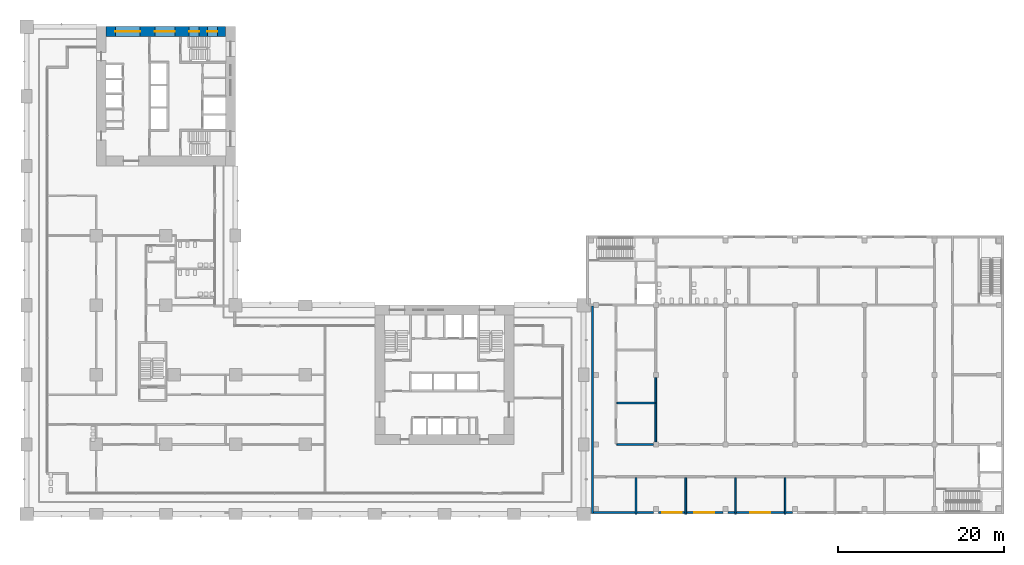
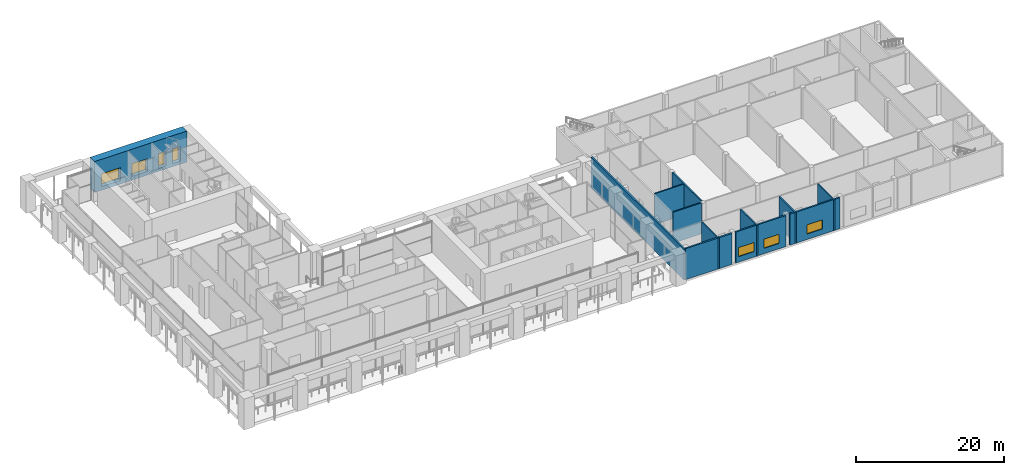
# One storey, part 19 of 33: 12 walls, 7 windows, 7 openings.
"""IFC4 building model written with IfcOpenShell, lengths in metres."""

from ifc_helpers import new_model, si_unit, direction, frame, frame_2d, origin, place, context, subcontext, project, spatial, rectangle, extrude, material, layer, layer_set, type_object, element, fill, save


model = new_model("IFC4")

# Units and contexts
model_context = context("Model", 3, precision=1e-05, world=origin(), true_north=direction((0.0, 1.0)))
body_context = subcontext(model_context, "Body", "Model", "MODEL_VIEW")
ifc_project = project(units=[si_unit("LENGTHUNIT", "METRE"), si_unit("AREAUNIT", "SQUARE_METRE"), si_unit("VOLUMEUNIT", "CUBIC_METRE"), si_unit("PLANEANGLEUNIT", "RADIAN"), si_unit("MASSUNIT", "GRAM", prefix="KILO")], contexts=[model_context])

# Site, building, storey
site_placement = place(None, origin())
site = spatial("IfcSite", under=ifc_project, at=site_placement, CompositionType="ELEMENT")
building_placement = place(site_placement, origin())
building = spatial("IfcBuilding", under=site, at=building_placement, Name="Vermilion Gate Residences", CompositionType="ELEMENT")
storey_placement = place(building_placement, frame((0.0, 0.0, 14.39990234375)))
storey = spatial("IfcBuildingStorey", under=building, at=storey_placement, Name="L02", CompositionType="ELEMENT", Elevation=14.39990234375)

# Wall
ifc_material_1 = material(Name="Insulated masonry", Category="masonry")
ifc_layer_1 = layer(ifc_material_1, 0.25)
ifc_layer_set_1 = layer_set([ifc_layer_1], Name="EXTERNAL WALL 250 MASONRY (MARKET HALL)")
wall_type_1 = type_object("IfcWallType", Name="EXTERNAL WALL 250 MASONRY (MARKET HALL)", PredefinedType="SOLIDWALL", material=ifc_layer_set_1)
wall_1_placement = place(storey_placement, frame((68.39990234375, 0.175048828125, 0.0), z_axis=(0.0, 0.0, 1.0), x_axis=(1.0, 0.0, 0.0)))
element("IfcWall", 1, at=wall_1_placement, inside=storey, type_object=wall_type_1, Name="External wall L02-1", PredefinedType="SOLIDWALL", context=body_context, shape_type="SweptSolid", body=[
    extrude(rectangle(XDim=7.2001953125, YDim=0.25, at=frame_2d((3.60009765625, 0.0))), origin(), (0.0, 0.0, 1.0), 5.10009765625),
])

# Wall, openings, windows
wall_2_placement = place(storey_placement, frame((76.199951171875, 0.175048828125, 0.0), z_axis=(0.0, 0.0, 1.0), x_axis=(1.0, 0.0, 0.0)))
wall_2 = element("IfcWall", 2, at=wall_2_placement, inside=storey, type_object=wall_type_1, Name="External wall L02-2", PredefinedType="SOLIDWALL", context=body_context, shape_type="SweptSolid", body=[
    extrude(rectangle(XDim=7.800048828125, YDim=0.25, at=frame_2d((3.89990234375, 0.0))), origin(), (0.0, 0.0, 1.0), 5.10009765625),
])
opening_1_placement = place(wall_2_placement, frame((0.449951171875, 0.0, 0.89990234375)))
opening_1 = element("IfcOpeningElement", 3, at=opening_1_placement, cuts=wall_2, Name="Opening WH02001", PredefinedType="OPENING", context=body_context, shape_type="SweptSolid", body=[
    extrude(rectangle(XDim=2.39990234375, YDim=1.5, at=frame_2d((1.199951171875, 0.75))), frame((0.0, 0.135009765625, 0.0), z_axis=(0.0, -1.0, 0.0), x_axis=(1.0, 0.0, 0.0)), (0.0, 0.0, 1.0), 0.27001953125),
])
opening_2_placement = place(wall_2_placement, frame((4.35009765625, 0.0, 0.89990234375)))
opening_2 = element("IfcOpeningElement", 4, at=opening_2_placement, cuts=wall_2, Name="Opening WH02002", PredefinedType="OPENING", context=body_context, shape_type="SweptSolid", body=[
    extrude(rectangle(XDim=2.39990234375, YDim=1.5, at=frame_2d((1.199951171875, 0.75))), frame((0.0, 0.135009765625, 0.0), z_axis=(0.0, -1.0, 0.0), x_axis=(1.0, 0.0, 0.0)), (0.0, 0.0, 1.0), 0.27001953125),
])
ifc_material_2 = material(Name="Aluminium and glass", Category="aluminium")
window_type_1 = type_object("IfcWindowType", Name="WINDOW 2400 X 1500 (MARKET HALL)", PartitioningType="DOUBLE_PANEL_VERTICAL", PredefinedType="WINDOW", material=ifc_material_2)
window_1_placement = place(opening_1_placement, origin())
window_1 = element("IfcWindow", 5, at=window_1_placement, inside=storey, type_object=window_type_1, Name="Window WH02001", OverallHeight=1.5, OverallWidth=2.39990234375, PartitioningType="DOUBLE_PANEL_VERTICAL", PredefinedType="WINDOW", context=body_context, shape_type="SweptSolid", body=[
    extrude(rectangle(XDim=2.39990234375, YDim=1.5, at=frame_2d((1.199951171875, 0.75))), frame((0.0, 0.030029296875, 0.0), z_axis=(0.0, -1.0, 0.0), x_axis=(1.0, 0.0, 0.0)), (0.0, 0.0, 1.0), 0.06005859375),
])
fill(opening_1, window_1)
window_2_placement = place(opening_2_placement, origin())
window_2 = element("IfcWindow", 6, at=window_2_placement, inside=storey, type_object=window_type_1, Name="Window WH02002", OverallHeight=1.5, OverallWidth=2.39990234375, PartitioningType="DOUBLE_PANEL_VERTICAL", PredefinedType="WINDOW", context=body_context, shape_type="SweptSolid", body=[
    extrude(rectangle(XDim=2.39990234375, YDim=1.5, at=frame_2d((1.199951171875, 0.75))), frame((0.0, 0.030029296875, 0.0), z_axis=(0.0, -1.0, 0.0), x_axis=(1.0, 0.0, 0.0)), (0.0, 0.0, 1.0), 0.06005859375),
])
fill(opening_2, window_2)

# Wall, opening, window
wall_3_placement = place(storey_placement, frame((84.60009765625, 0.175048828125, 0.0), z_axis=(0.0, 0.0, 1.0), x_axis=(1.0, 0.0, 0.0)))
wall_3 = element("IfcWall", 7, at=wall_3_placement, inside=storey, type_object=wall_type_1, Name="External wall L02-3", PredefinedType="SOLIDWALL", context=body_context, shape_type="SweptSolid", body=[
    extrude(rectangle(XDim=7.7998046875, YDim=0.25, at=frame_2d((3.89990234375, 0.0))), origin(), (0.0, 0.0, 1.0), 5.10009765625),
])
opening_3_placement = place(wall_3_placement, frame((2.699951171875, 0.0, 0.89990234375)))
opening_3 = element("IfcOpeningElement", 8, at=opening_3_placement, cuts=wall_3, Name="Opening WH02003", PredefinedType="OPENING", context=body_context, shape_type="SweptSolid", body=[
    extrude(rectangle(XDim=2.39990234375, YDim=1.5, at=frame_2d((1.199951171875, 0.75))), frame((0.0, 0.135009765625, 0.0), z_axis=(0.0, -1.0, 0.0), x_axis=(1.0, 0.0, 0.0)), (0.0, 0.0, 1.0), 0.27001953125),
])
window_3_placement = place(opening_3_placement, origin())
window_3 = element("IfcWindow", 9, at=window_3_placement, inside=storey, type_object=window_type_1, Name="Window WH02003", OverallHeight=1.5, OverallWidth=2.39990234375, PartitioningType="DOUBLE_PANEL_VERTICAL", PredefinedType="WINDOW", context=body_context, shape_type="SweptSolid", body=[
    extrude(rectangle(XDim=2.39990234375, YDim=1.5, at=frame_2d((1.199951171875, 0.75))), frame((0.0, 0.030029296875, 0.0), z_axis=(0.0, -1.0, 0.0), x_axis=(1.0, 0.0, 0.0)), (0.0, 0.0, 1.0), 0.06005859375),
])
fill(opening_3, window_3)

# Walls
wall_4_placement = place(storey_placement, frame((68.27490234375, 0.050048828125, 0.0), z_axis=(0.0, 0.0, 1.0), x_axis=(0.0, 1.0, 0.0)))
element("IfcWall", 10, at=wall_4_placement, inside=storey, type_object=wall_type_1, Name="External wall L02-37", PredefinedType="SOLIDWALL", context=body_context, shape_type="SweptSolid", body=[
    extrude(rectangle(XDim=25.02490234375, YDim=0.25, at=frame_2d((12.512451171875, 0.0))), origin(), (0.0, 0.0, 1.0), 5.10009765625),
])
ifc_material_3 = material(Name="Masonry", Category="masonry")
ifc_layer_2 = layer(ifc_material_3, 0.199951171875)
ifc_layer_set_2 = layer_set([ifc_layer_2], Name="PARTITION 200 MASONRY EI 60 (MARKET HALL)")
wall_type_2 = type_object("IfcWallType", Name="PARTITION 200 MASONRY EI 60 (MARKET HALL)", PredefinedType="PARTITIONING", material=ifc_layer_set_2)
wall_5_placement = place(storey_placement, frame((71.199951171875, 8.39990234375, 0.0), z_axis=(0.0, 0.0, 1.0), x_axis=(1.0, 0.0, 0.0)))
element("IfcWall", 11, at=wall_5_placement, inside=storey, type_object=wall_type_2, Name="Partition wall L02-10", PredefinedType="PARTITIONING", context=body_context, shape_type="SweptSolid", body=[
    extrude(rectangle(XDim=4.400146484375, YDim=0.199951171875, at=frame_2d((2.2001953125, 0.0))), origin(), (0.0, 0.0, 1.0), 5.10009765625),
])
wall_6_placement = place(storey_placement, frame((71.199951171875, 13.39990234375, 0.0), z_axis=(0.0, 0.0, 1.0), x_axis=(1.0, 0.0, 0.0)))
element("IfcWall", 12, at=wall_6_placement, inside=storey, type_object=wall_type_2, Name="Partition wall L02-16", PredefinedType="PARTITIONING", context=body_context, shape_type="SweptSolid", body=[
    extrude(rectangle(XDim=4.60009765625, YDim=0.199951171875, at=frame_2d((2.300048828125, 0.0))), origin(), (0.0, 0.0, 1.0), 5.10009765625),
])
wall_7_placement = place(storey_placement, frame((73.5, 0.0, 0.0), z_axis=(0.0, 0.0, 1.0), x_axis=(0.0, 1.0, 0.0)))
element("IfcWall", 13, at=wall_7_placement, inside=storey, type_object=wall_type_2, Name="Partition wall L02-39", PredefinedType="PARTITIONING", context=body_context, shape_type="SweptSolid", body=[
    extrude(rectangle(XDim=4.39990234375, YDim=0.199951171875, at=frame_2d((2.199951171875, 0.0))), origin(), (0.0, 0.0, 1.0), 5.10009765625),
])
wall_8_placement = place(storey_placement, frame((75.89990234375, 8.699951171875, 0.0), z_axis=(0.0, 0.0, 1.0), x_axis=(0.0, 1.0, 0.0)))
element("IfcWall", 14, at=wall_8_placement, inside=storey, type_object=wall_type_2, Name="Partition wall L02-41", PredefinedType="PARTITIONING", context=body_context, shape_type="SweptSolid", body=[
    extrude(rectangle(XDim=7.800048828125, YDim=0.199951171875, at=frame_2d((3.89990234375, 0.0))), origin(), (0.0, 0.0, 1.0), 5.10009765625),
])
for number, where, z_axis, x_axis, name in (
    (15, (79.5, 0.0, 0.0), (0.0, 0.0, 1.0), (0.0, 1.0, 0.0), "Partition wall L02-45"),
    (16, (85.5, 0.0, 0.0), (0.0, 0.0, 1.0), (0.0, 1.0, 0.0), "Partition wall L02-50"),
    (17, (91.5, 0.0, 0.0), (0.0, 0.0, 1.0), (0.0, 1.0, 0.0), "Partition wall L02-52"),
):
    element("IfcWall", number, at=place(storey_placement, frame(where, z_axis=z_axis, x_axis=x_axis)), inside=storey, type_object=wall_type_2, Name=name, PredefinedType="PARTITIONING", context=body_context, shape_type="SweptSolid", body=[
        extrude(rectangle(XDim=4.39990234375, YDim=0.199951171875, at=frame_2d((2.199951171875, 0.0))), origin(), (0.0, 0.0, 1.0), 5.10009765625),
    ])

# Wall, openings, windows
ifc_material_4 = material(Name="Concrete C80 red-oxide pigmented", Category="concrete")
ifc_layer_3 = layer(ifc_material_4, 1.199951171875)
ifc_layer_set_3 = layer_set([ifc_layer_3], Name="RC CORE WALL 1200 C80 RED OXIDE")
wall_type_3 = type_object("IfcWallType", Name="RC CORE WALL 1200 C80 RED OXIDE", PredefinedType="SHEAR", material=ifc_layer_set_3)
wall_9_placement = place(storey_placement, frame((9.60009765625, 58.199951171875, 0.0), z_axis=(0.0, 0.0, 1.0), x_axis=(1.0, 0.0, 0.0)))
wall_9 = element("IfcWall", 18, at=wall_9_placement, inside=storey, type_object=wall_type_3, Name="Core wall B02-OUT-FR", PredefinedType="SHEAR", context=body_context, shape_type="SweptSolid", body=[
    extrude(rectangle(XDim=14.39990234375, YDim=1.199951171875, at=frame_2d((7.199951171875, 0.0))), origin(), (0.0, 0.0, 1.0), 5.10009765625),
])
opening_4_placement = place(wall_9_placement, frame((1.10498046875, 0.0, 0.60009765625)))
opening_4 = element("IfcOpeningElement", 19, at=opening_4_placement, cuts=wall_9, Name="Opening WKB0205", PredefinedType="OPENING", context=body_context, shape_type="SweptSolid", body=[
    extrude(rectangle(XDim=3.0, YDim=2.10009765625, at=frame_2d((1.5, 1.050048828125))), frame((0.0, 0.60986328125, 0.0), z_axis=(0.0, -1.0, 0.0), x_axis=(1.0, 0.0, 0.0)), (0.0, 0.0, 1.0), 1.219970703125),
])
opening_5_placement = place(wall_9_placement, frame((5.875, 0.0, 0.60009765625)))
opening_5 = element("IfcOpeningElement", 20, at=opening_5_placement, cuts=wall_9, Name="Opening WKB0206", PredefinedType="OPENING", context=body_context, shape_type="SweptSolid", body=[
    extrude(rectangle(XDim=2.39990234375, YDim=2.10009765625, at=frame_2d((1.199951171875, 1.050048828125))), frame((0.0, 0.60986328125, 0.0), z_axis=(0.0, -1.0, 0.0), x_axis=(1.0, 0.0, 0.0)), (0.0, 0.0, 1.0), 1.219970703125),
])
opening_6_placement = place(wall_9_placement, frame((9.993408203125, 0.0, 0.5)))
opening_6 = element("IfcOpeningElement", 21, at=opening_6_placement, cuts=wall_9, Name="Opening WKB0207", PredefinedType="OPENING", context=body_context, shape_type="SweptSolid", body=[
    extrude(rectangle(XDim=1.199951171875, YDim=2.39990234375, at=frame_2d((0.60009765625, 1.199951171875))), frame((0.0, 0.60986328125, 0.0), z_axis=(0.0, -1.0, 0.0), x_axis=(1.0, 0.0, 0.0)), (0.0, 0.0, 1.0), 1.219970703125),
])
opening_7_placement = place(wall_9_placement, frame((12.19677734375, 0.0, 0.5)))
opening_7 = element("IfcOpeningElement", 22, at=opening_7_placement, cuts=wall_9, Name="Opening WKB0208", PredefinedType="OPENING", context=body_context, shape_type="SweptSolid", body=[
    extrude(rectangle(XDim=1.199951171875, YDim=2.39990234375, at=frame_2d((0.60009765625, 1.199951171875))), frame((0.0, 0.60986328125, 0.0), z_axis=(0.0, -1.0, 0.0), x_axis=(1.0, 0.0, 0.0)), (0.0, 0.0, 1.0), 1.219970703125),
])
ifc_material_5 = material(Name="Aluminium and clear glass", Category="aluminium")
window_type_2 = type_object("IfcWindowType", Name="CORE LOBBY WINDOW 2400 X 2100", PartitioningType="SINGLE_PANEL", PredefinedType="WINDOW", material=ifc_material_5)
window_4_placement = place(opening_5_placement, origin())
window_4 = element("IfcWindow", 23, at=window_4_placement, inside=storey, type_object=window_type_2, Name="Core lobby window", OverallHeight=2.10009765625, OverallWidth=2.39990234375, PartitioningType="SINGLE_PANEL", PredefinedType="WINDOW", context=body_context, shape_type="SweptSolid", body=[
    extrude(rectangle(XDim=2.39990234375, YDim=2.10009765625, at=frame_2d((1.199951171875, 1.050048828125))), frame((0.0, 0.030029296875, 0.0), z_axis=(0.0, -1.0, 0.0), x_axis=(1.0, 0.0, 0.0)), (0.0, 0.0, 1.0), 0.06005859375),
])
fill(opening_5, window_4)
ifc_material_6 = material(Name="Aluminium and clear glass", Category="aluminium")
window_type_3 = type_object("IfcWindowType", Name="CORE LOBBY WINDOW 3000 X 2100", PartitioningType="SINGLE_PANEL", PredefinedType="WINDOW", material=ifc_material_6)
window_5_placement = place(opening_4_placement, origin())
window_5 = element("IfcWindow", 24, at=window_5_placement, inside=storey, type_object=window_type_3, Name="Core lobby window", OverallHeight=2.10009765625, OverallWidth=3.0, PartitioningType="SINGLE_PANEL", PredefinedType="WINDOW", context=body_context, shape_type="SweptSolid", body=[
    extrude(rectangle(XDim=3.0, YDim=2.10009765625, at=frame_2d((1.5, 1.050048828125))), frame((0.0, 0.030029296875, 0.0), z_axis=(0.0, -1.0, 0.0), x_axis=(1.0, 0.0, 0.0)), (0.0, 0.0, 1.0), 0.06005859375),
])
fill(opening_4, window_5)
ifc_material_7 = material(Name="Aluminium and clear glass", Category="aluminium")
window_type_4 = type_object("IfcWindowType", Name="CORE STAIR WINDOW 1200 X 2400", PartitioningType="SINGLE_PANEL", PredefinedType="WINDOW", material=ifc_material_7)
window_6_placement = place(opening_6_placement, origin())
window_6 = element("IfcWindow", 25, at=window_6_placement, inside=storey, type_object=window_type_4, Name="Core stair window", OverallHeight=2.39990234375, OverallWidth=1.199951171875, PartitioningType="SINGLE_PANEL", PredefinedType="WINDOW", context=body_context, shape_type="SweptSolid", body=[
    extrude(rectangle(XDim=1.199951171875, YDim=2.39990234375, at=frame_2d((0.60009765625, 1.199951171875))), frame((0.0, 0.030029296875, 0.0), z_axis=(0.0, -1.0, 0.0), x_axis=(1.0, 0.0, 0.0)), (0.0, 0.0, 1.0), 0.06005859375),
])
fill(opening_6, window_6)
window_7_placement = place(opening_7_placement, origin())
window_7 = element("IfcWindow", 26, at=window_7_placement, inside=storey, type_object=window_type_4, Name="Core stair window", OverallHeight=2.39990234375, OverallWidth=1.199951171875, PartitioningType="SINGLE_PANEL", PredefinedType="WINDOW", context=body_context, shape_type="SweptSolid", body=[
    extrude(rectangle(XDim=1.199951171875, YDim=2.39990234375, at=frame_2d((0.60009765625, 1.199951171875))), frame((0.0, 0.030029296875, 0.0), z_axis=(0.0, -1.0, 0.0), x_axis=(1.0, 0.0, 0.0)), (0.0, 0.0, 1.0), 0.06005859375),
])
fill(opening_7, window_7)

save(model, "model.ifc")
